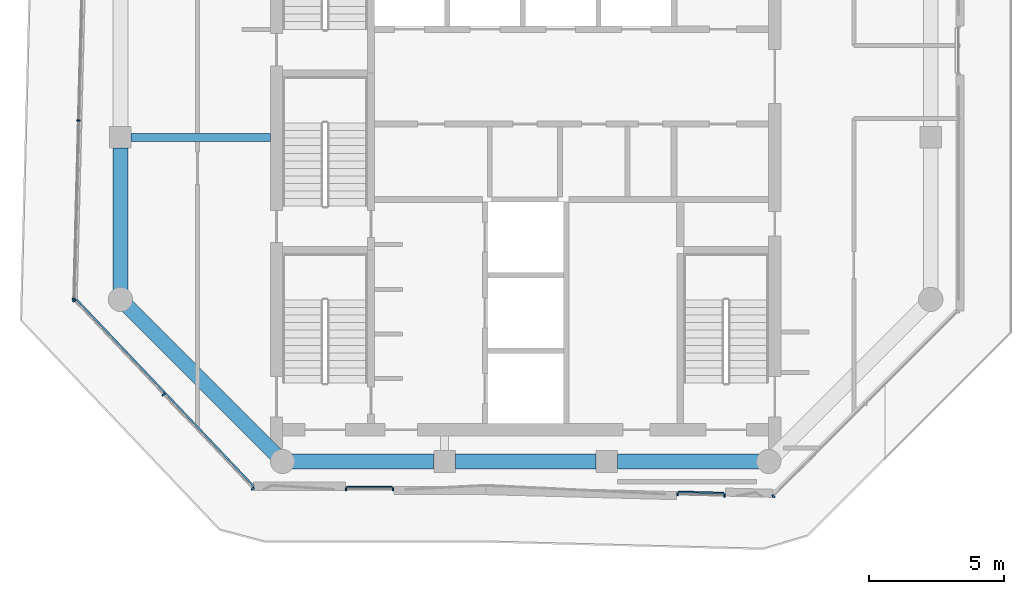
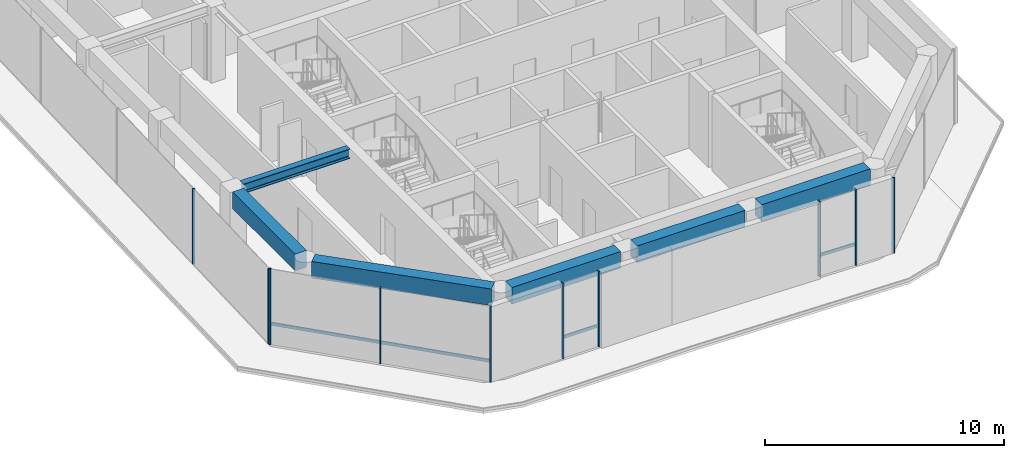
# One storey, part 2 of 19: 13 members, 6 beams, 5 elements without a shape of their own.
"""IFC4 building model written with IfcOpenShell, lengths in metres."""

from ifc_helpers import new_model, si_unit, direction, frame, origin, origin_2d, place, context, subcontext, project, spatial, rectangle, i_section, extrude, material, layer, layer_set, material_profile, profile_set, type_object, element, aggregate, save


model = new_model("IFC4")

# Units and contexts
model_context = context("Model", 3, precision=1e-05, world=origin(), true_north=direction((0.0, 1.0)))
body_context = subcontext(model_context, "Body", "Model", "MODEL_VIEW")
ifc_project = project(units=[si_unit("LENGTHUNIT", "METRE"), si_unit("AREAUNIT", "SQUARE_METRE"), si_unit("VOLUMEUNIT", "CUBIC_METRE"), si_unit("PLANEANGLEUNIT", "RADIAN"), si_unit("MASSUNIT", "GRAM", prefix="KILO")], contexts=[model_context])

# Site, building, storey
site_placement = place(None, origin())
site = spatial("IfcSite", under=ifc_project, at=site_placement, CompositionType="ELEMENT")
building_placement = place(site_placement, origin())
building = spatial("IfcBuilding", under=site, at=building_placement, Name="Welwitschia Terrace Campus", CompositionType="ELEMENT")
storey_placement = place(building_placement, frame((0.0, 0.0, 234.800048828125)))
storey = spatial("IfcBuildingStorey", under=building, at=storey_placement, Name="L52", CompositionType="ELEMENT", Elevation=234.800048828125)

# Curtain wall, members
ifc_material_1 = material(Name="Bronze anodised aluminium", Category="aluminium")
ifc_layer = layer(ifc_material_1, 0.1201171875)
ifc_layer_set = layer_set([ifc_layer], Name="Bronze anodised aluminium")
curtain_wall_type = type_object("IfcCurtainWallType", Name="Curtain wall CW2 tower 6000", PredefinedType="NOTDEFINED", material=ifc_layer_set)
curtain_wall_1_placement = place(storey_placement, origin())
curtain_wall_1 = element("IfcCurtainWall", 1, at=curtain_wall_1_placement, inside=storey, type_object=curtain_wall_type, Name="CW L52.1.0", PredefinedType="NOTDEFINED")
ifc_material_2 = material(Name="Bronze anodised aluminium", Category="aluminium")
ifc_material_profile_1 = material_profile(ifc_material_2, rectangle(XDim=0.1201171875, YDim=0.06005859375, at=origin_2d()))
ifc_profile_set_1 = profile_set([ifc_material_profile_1], Name="Bronze anodised aluminium")
member_type_1 = type_object("IfcMemberType", Name="Mullion 60x120", PredefinedType="MULLION", material=ifc_profile_set_1)
member_1_placement = place(storey_placement, frame((-1.552490234375, 16.627685546875, 0.0), z_axis=(0.0, 0.0, 1.0), x_axis=(0.999657324976, -0.026176948308, 0.0)))
member_1 = element("IfcMember", 2, at=member_1_placement, type_object=member_type_1, Name="Mullion L52.1.0.3", PredefinedType="MULLION", context=body_context, shape_type="SweptSolid", body=[
    extrude(rectangle(XDim=0.1201171875, YDim=0.06005859375, at=origin_2d()), origin(), (0.0, 0.0, 1.0), 3.849853515625),
])
member_2_placement = place(storey_placement, frame((-1.72607421875, 10.00537109375, 0.0), z_axis=(0.0, 0.0, 1.0), x_axis=(0.999657324976, -0.026176948308, 0.0)))
member_2 = element("IfcMember", 3, at=member_2_placement, type_object=member_type_1, Name="Mullion L52.1.0.4", PredefinedType="MULLION", context=body_context, shape_type="SweptSolid", body=[
    extrude(rectangle(XDim=0.1201171875, YDim=0.06005859375, at=origin_2d()), origin(), (0.0, 0.0, 1.0), 3.849853515625),
])
aggregate(curtain_wall_1, [member_1, member_2])

curtain_wall_2_placement = place(storey_placement, origin())
curtain_wall_2 = element("IfcCurtainWall", 4, at=curtain_wall_2_placement, inside=storey, type_object=curtain_wall_type, Name="CW L52.2.0", PredefinedType="NOTDEFINED")
member_3_placement = place(storey_placement, frame((-1.7060546875, 9.95361328125, 0.0), z_axis=(0.0, 0.0, 1.0), x_axis=(0.725374371012, 0.688354575694, 0.0)))
member_3 = element("IfcMember", 5, at=member_3_placement, type_object=member_type_1, Name="Mullion L52.2.0.0", PredefinedType="MULLION", context=body_context, shape_type="SweptSolid", body=[
    extrude(rectangle(XDim=0.1201171875, YDim=0.06005859375, at=origin_2d()), origin(), (0.0, 0.0, 1.0), 3.849853515625),
])
member_4_placement = place(storey_placement, frame((1.59716796875, 6.47265625, 0.0), z_axis=(0.0, 0.0, 1.0), x_axis=(0.725374371012, 0.688354575694, 0.0)))
member_4 = element("IfcMember", 6, at=member_4_placement, type_object=member_type_1, Name="Mullion L52.2.0.1", PredefinedType="MULLION", context=body_context, shape_type="SweptSolid", body=[
    extrude(rectangle(XDim=0.1201171875, YDim=0.06005859375, at=origin_2d()), origin(), (0.0, 0.0, 1.0), 3.849853515625),
])
member_5_placement = place(storey_placement, frame((4.900390625, 2.99169921875, 0.0), z_axis=(0.0, 0.0, 1.0), x_axis=(0.725374371012, 0.688354575694, 0.0)))
member_5 = element("IfcMember", 7, at=member_5_placement, type_object=member_type_1, Name="Mullion L52.2.0.2", PredefinedType="MULLION", context=body_context, shape_type="SweptSolid", body=[
    extrude(rectangle(XDim=0.1201171875, YDim=0.06005859375, at=origin_2d()), origin(), (0.0, 0.0, 1.0), 3.849853515625),
])

curtain_wall_3_placement = place(storey_placement, origin())
curtain_wall_3 = element("IfcCurtainWall", 8, at=curtain_wall_3_placement, inside=storey, type_object=curtain_wall_type, Name="CW L52.3.S0", PredefinedType="NOTDEFINED")
member_6_placement = place(storey_placement, frame((8.358154296875, 2.969970703125, 0.0), z_axis=(0.0, 0.0, 1.0), x_axis=(0.0, 1.0, 0.0)))
member_6 = element("IfcMember", 9, at=member_6_placement, type_object=member_type_1, Name="Mullion L52.3.S0.0", PredefinedType="MULLION", context=body_context, shape_type="SweptSolid", body=[
    extrude(rectangle(XDim=0.1201171875, YDim=0.06005859375, at=origin_2d()), origin(), (0.0, 0.0, 1.0), 3.849853515625),
])
member_7_placement = place(storey_placement, frame((10.09814453125, 2.969970703125, 0.0), z_axis=(0.0, 0.0, 1.0), x_axis=(0.0, 1.0, 0.0)))
member_7 = element("IfcMember", 10, at=member_7_placement, type_object=member_type_1, Name="Mullion L52.3.S0.1", PredefinedType="MULLION", context=body_context, shape_type="SweptSolid", body=[
    extrude(rectangle(XDim=0.1201171875, YDim=0.06005859375, at=origin_2d()), origin(), (0.0, 0.0, 1.0), 3.849853515625),
])

curtain_wall_4_placement = place(storey_placement, origin())
curtain_wall_4 = element("IfcCurtainWall", 11, at=curtain_wall_4_placement, inside=storey, type_object=curtain_wall_type, Name="CW L52.4.S0", PredefinedType="NOTDEFINED")
member_8_placement = place(storey_placement, frame((20.625732421875, 2.784423828125, 0.0), z_axis=(0.0, 0.0, 1.0), x_axis=(0.026176948308, 0.999657324976, 0.0)))
member_8 = element("IfcMember", 12, at=member_8_placement, type_object=member_type_1, Name="Mullion L52.4.S0.0", PredefinedType="MULLION", context=body_context, shape_type="SweptSolid", body=[
    extrude(rectangle(XDim=0.1201171875, YDim=0.06005859375, at=origin_2d()), origin(), (0.0, 0.0, 1.0), 3.849853515625),
])
member_9_placement = place(storey_placement, frame((22.365234375, 2.73876953125, 0.0), z_axis=(0.0, 0.0, 1.0), x_axis=(0.026176948308, 0.999657324976, 0.0)))
member_9 = element("IfcMember", 13, at=member_9_placement, type_object=member_type_1, Name="Mullion L52.4.S0.1", PredefinedType="MULLION", context=body_context, shape_type="SweptSolid", body=[
    extrude(rectangle(XDim=0.1201171875, YDim=0.06005859375, at=origin_2d()), origin(), (0.0, 0.0, 1.0), 3.849853515625),
])

# Curtain wall, member
curtain_wall_5_placement = place(storey_placement, origin())
curtain_wall_5 = element("IfcCurtainWall", 14, at=curtain_wall_5_placement, inside=storey, type_object=curtain_wall_type, Name="CW L52.5.0", PredefinedType="NOTDEFINED")
member_10_placement = place(storey_placement, frame((24.169921875, 2.71337890625, 0.0), z_axis=(0.0, 0.0, 1.0), x_axis=(-0.707106781187, 0.707106781187, 0.0)))
member_10 = element("IfcMember", 15, at=member_10_placement, type_object=member_type_1, Name="Mullion L52.5.0.0", PredefinedType="MULLION", context=body_context, shape_type="SweptSolid", body=[
    extrude(rectangle(XDim=0.1201171875, YDim=0.06005859375, at=origin_2d()), origin(), (0.0, 0.0, 1.0), 3.849853515625),
])
aggregate(curtain_wall_5, [member_10])

# Beams
ifc_material_3 = material(Name="Steel S355", Category="steel")
ifc_material_profile_2 = material_profile(ifc_material_3, i_section(OverallWidth=0.300048828125, OverallDepth=0.489990234375, WebThickness=0.011962890625, FlangeThickness=0.02294921875, FilletRadius=0.027099609375, at=origin_2d()))
ifc_profile_set_2 = profile_set([ifc_material_profile_2], Name="Steel S355")
beam_type_1 = type_object("IfcBeamType", Name="Primary beam HE 500 A", PredefinedType="BEAM", material=ifc_profile_set_2)
beam_1_placement = place(storey_placement, frame((0.400390625, 16.0, 3.60498046875), z_axis=(1.0, 0.0, 0.0), x_axis=(0.0, 1.0, 0.0)))
element("IfcBeam", 16, at=beam_1_placement, inside=storey, type_object=beam_type_1, Name="Primary beam PB5", PredefinedType="BEAM", context=body_context, shape_type="SweptSolid", body=[
    extrude(i_section(OverallWidth=0.300048828125, OverallDepth=0.489990234375, WebThickness=0.011962890625, FlangeThickness=0.02294921875, FilletRadius=0.027099609375, at=origin_2d()), origin(), (0.0, 0.0, 1.0), 5.149658203125),
])
ifc_material_4 = material(Name="Concrete C50/60", Category="concrete")
ifc_material_profile_3 = material_profile(ifc_material_4, rectangle(XDim=0.550048828125, YDim=0.85009765625, at=origin_2d()))
ifc_profile_set_3 = profile_set([ifc_material_profile_3], Name="Concrete C50/60")
beam_type_2 = type_object("IfcBeamType", Name="Ring spandrel 550x850", PredefinedType="SPANDREL", material=ifc_profile_set_3)
beam_2_placement = place(storey_placement, frame((0.25244140625, 9.74755859375, 3.425048828125), z_axis=(0.707106781187, -0.707106781187, 0.0), x_axis=(0.707106781187, 0.707106781187, 0.0)))
element("IfcBeam", 17, at=beam_2_placement, inside=storey, type_object=beam_type_2, Name="Spandrel SP3", PredefinedType="SPANDREL", context=body_context, shape_type="SweptSolid", body=[
    extrude(rectangle(XDim=0.550048828125, YDim=0.85009765625, at=origin_2d()), origin(), (0.0, 0.0, 1.0), 7.771240234375),
])
beam_3_placement = place(storey_placement, frame((6.35693359375, 4.0, 3.425048828125), z_axis=(1.0, 0.0, 0.0), x_axis=(0.0, 1.0, 0.0)))
element("IfcBeam", 18, at=beam_3_placement, inside=storey, type_object=beam_type_2, Name="Spandrel SP3", PredefinedType="SPANDREL", context=body_context, shape_type="SweptSolid", body=[
    extrude(rectangle(XDim=0.550048828125, YDim=0.85009765625, at=origin_2d()), origin(), (0.0, 0.0, 1.0), 5.24267578125),
])
beam_4_placement = place(storey_placement, frame((12.400390625, 4.0, 3.425048828125), z_axis=(1.0, 0.0, 0.0), x_axis=(0.0, 1.0, 0.0)))
element("IfcBeam", 19, at=beam_4_placement, inside=storey, type_object=beam_type_2, Name="Spandrel SP3", PredefinedType="SPANDREL", context=body_context, shape_type="SweptSolid", body=[
    extrude(rectangle(XDim=0.550048828125, YDim=0.85009765625, at=origin_2d()), origin(), (0.0, 0.0, 1.0), 5.19921875),
])
for number, where, z_axis, x_axis, name in (
    (20, (18.400390625, 4.0, 3.425048828125), (1.0, 0.0, 0.0), (0.0, 1.0, 0.0), "Spandrel SP3"),
    (21, (0.0, 15.599609375, 3.425048828125), (0.0, -1.0, 0.0), (1.0, 0.0, 0.0), "Spandrel SP3"),
):
    element("IfcBeam", number, at=place(storey_placement, frame(where, z_axis=z_axis, x_axis=x_axis)), inside=storey, type_object=beam_type_2, Name=name, PredefinedType="SPANDREL", context=body_context, shape_type="SweptSolid", body=[
        extrude(rectangle(XDim=0.550048828125, YDim=0.85009765625, at=origin_2d()), origin(), (0.0, 0.0, 1.0), 5.24267578125),
    ])

# Member
ifc_material_5 = material(Name="Bronze anodised aluminium", Category="aluminium")
ifc_material_profile_4 = material_profile(ifc_material_5, rectangle(XDim=0.06005859375, YDim=0.14990234375, at=origin_2d()))
ifc_profile_set_4 = profile_set([ifc_material_profile_4], Name="Bronze anodised aluminium")
member_type_2 = type_object("IfcMemberType", Name="Transom 60x150", PredefinedType="USERDEFINED", material=ifc_profile_set_4)
member_11_placement = place(storey_placement, frame((-1.6201171875, 9.99365234375, 1.0), z_axis=(0.688357149228, -0.725371928811, 0.0), x_axis=(0.725371928811, 0.688357149228, 0.0)))
member_11 = element("IfcMember", 22, at=member_11_placement, type_object=member_type_2, Name="Transom L52.2.0", ObjectType="TRANSOM", PredefinedType="USERDEFINED", context=body_context, shape_type="SweptSolid", body=[
    extrude(rectangle(XDim=0.06005859375, YDim=0.14990234375, at=origin_2d()), origin(), (0.0, 0.0, 1.0), 9.537353515625),
])

aggregate(curtain_wall_2, [member_3, member_4, member_5, member_11])

member_12_placement = place(storey_placement, frame((8.38818359375, 3.06005859375, 1.0), z_axis=(1.0, 0.0, 0.0), x_axis=(0.0, 1.0, 0.0)))
member_12 = element("IfcMember", 23, at=member_12_placement, type_object=member_type_2, Name="Transom L52.3.S0", ObjectType="TRANSOM", PredefinedType="USERDEFINED", context=body_context, shape_type="SweptSolid", body=[
    extrude(rectangle(XDim=0.06005859375, YDim=0.14990234375, at=origin_2d()), origin(), (0.0, 0.0, 1.0), 1.68017578125),
])

aggregate(curtain_wall_3, [member_6, member_7, member_12])

member_13_placement = place(storey_placement, frame((20.657958984375, 2.87353515625, 1.0), z_axis=(0.99965783038, -0.026157640568, 0.0), x_axis=(0.026157640568, 0.99965783038, 0.0)))
member_13 = element("IfcMember", 24, at=member_13_placement, type_object=member_type_2, Name="Transom L52.4.S0", ObjectType="TRANSOM", PredefinedType="USERDEFINED", context=body_context, shape_type="SweptSolid", body=[
    extrude(rectangle(XDim=0.06005859375, YDim=0.14990234375, at=origin_2d()), origin(), (0.0, 0.0, 1.0), 1.679931640625),
])

aggregate(curtain_wall_4, [member_8, member_9, member_13])

save(model, "model.ifc")
